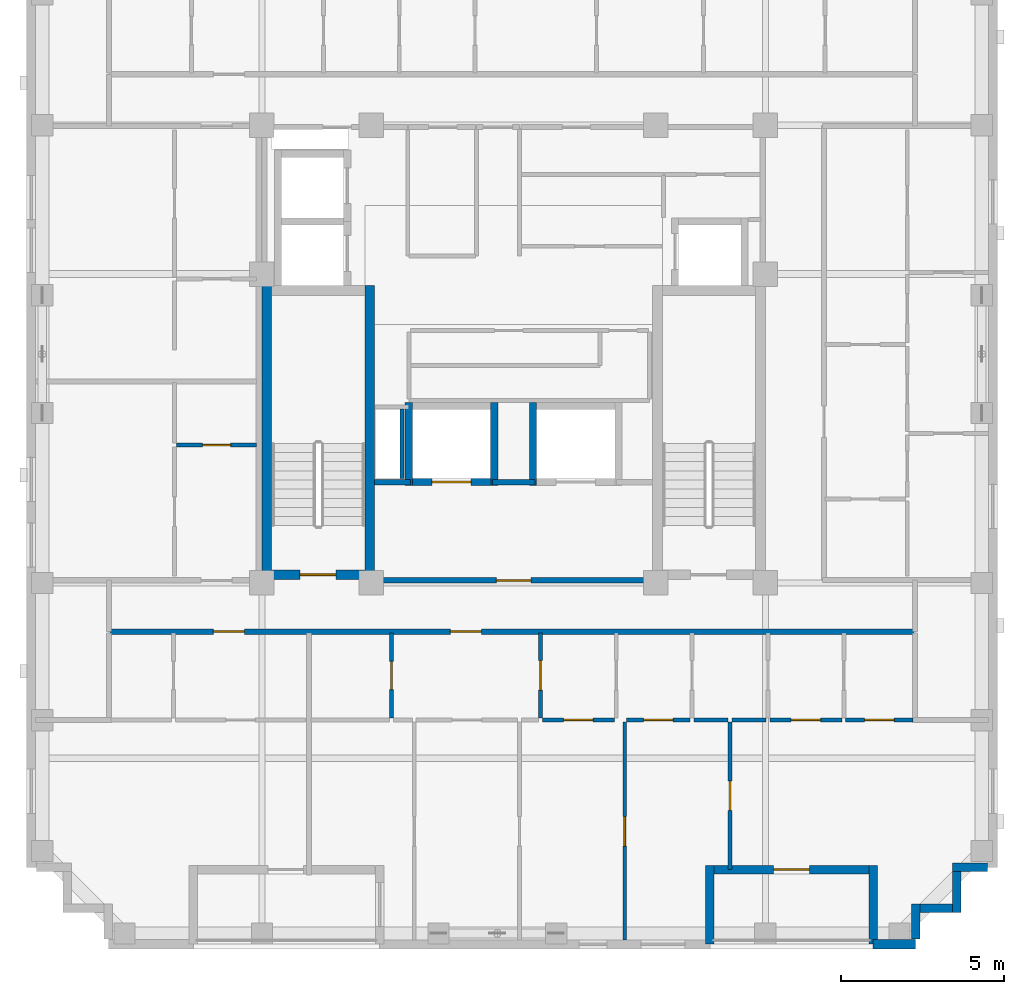
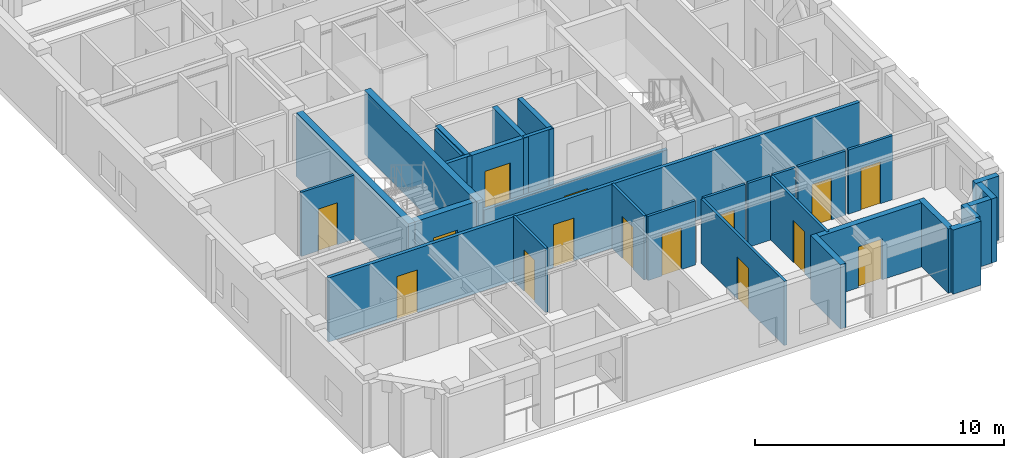
# One storey, part 3 of 11: 31 walls, 15 doors, 15 openings.
"""IFC4 building model written with IfcOpenShell, lengths in metres."""

from ifc_helpers import new_model, si_unit, derived_unit, direction, frame, frame_2d, origin, place, context, subcontext, project, spatial, rectangle, extrude, material, layer, layer_set, type_object, element, fill, save


model = new_model("IFC4")

# Units and contexts
model_context = context("Model", 3, precision=1e-05, world=origin(), true_north=direction((0.0, 1.0)))
body_context = subcontext(model_context, "Body", "Model", "MODEL_VIEW")
ifc_project = project(units=[si_unit("LENGTHUNIT", "METRE"), si_unit("AREAUNIT", "SQUARE_METRE"), si_unit("VOLUMEUNIT", "CUBIC_METRE"), si_unit("PLANEANGLEUNIT", "RADIAN"), si_unit("MASSUNIT", "GRAM", prefix="KILO"), derived_unit("THERMALTRANSMITTANCEUNIT", [(si_unit("MASSUNIT", "GRAM", prefix="KILO"), 1), (si_unit("TIMEUNIT", "SECOND"), -3), (si_unit("THERMODYNAMICTEMPERATUREUNIT", "KELVIN"), -1)])], contexts=[model_context])

# Site, building, storey
site_placement = place(None, origin())
site = spatial("IfcSite", under=ifc_project, at=site_placement, CompositionType="ELEMENT")
building_placement = place(site_placement, origin())
building = spatial("IfcBuilding", under=site, at=building_placement, Name="Korrvale Station Residences", CompositionType="ELEMENT")
storey_placement = place(building_placement, frame((0.0, 0.0, 241.10009765625)))
storey = spatial("IfcBuildingStorey", under=building, at=storey_placement, Name="L70", CompositionType="ELEMENT", Elevation=241.10009765625)

# Walls
ifc_material_1 = material(Name="Concrete C50/60", Category="concrete")
ifc_layer_1 = layer(ifc_material_1, 0.300048828125, Name="Concrete C50/60")
ifc_layer_set_1 = layer_set([ifc_layer_1], Name="Concrete C50/60")
wall_type_1 = type_object("IfcWallType", Name="WAL-CORE-300-C50", PredefinedType="SHEAR", material=ifc_layer_set_1)
for number, where, z_axis, x_axis, name in (
    (1, (17.949951171875, 15.10009765625, 0.0), (0.0, 0.0, 1.0), (0.0, 1.0, 0.0), "L70 ST-1 Core Shear Wall West"),
    (2, (21.10009765625, 15.10009765625, 0.0), (0.0, 0.0, 1.0), (0.0, 1.0, 0.0), "L70 ST-1 Core Shear Wall East"),
):
    element("IfcWall", number, at=place(storey_placement, frame(where, z_axis=z_axis, x_axis=x_axis)), inside=storey, type_object=wall_type_1, Name=name, PredefinedType="SHEAR", context=body_context, shape_type="SweptSolid", body=[
        extrude(rectangle(XDim=9.0, YDim=0.300048828125, at=frame_2d((4.5, 0.0))), origin(), (0.0, 0.0, 1.0), 3.139892578125),
    ])

# Wall, opening, door
wall_1_placement = place(storey_placement, frame((18.10009765625, 15.25, 0.0), z_axis=(0.0, 0.0, 1.0), x_axis=(1.0, 0.0, 0.0)))
wall_1 = element("IfcWall", 3, at=wall_1_placement, inside=storey, type_object=wall_type_1, Name="L70 ST-1 Core Shear Wall South", PredefinedType="SHEAR", context=body_context, shape_type="SweptSolid", body=[
    extrude(rectangle(XDim=2.849853515625, YDim=0.300048828125, at=frame_2d((1.4248046875, 0.0))), origin(), (0.0, 0.0, 1.0), 3.139892578125),
])
opening_1_placement = place(wall_1_placement, frame((0.860107421875, 0.0, 0.0)))
opening_1 = element("IfcOpeningElement", 4, at=opening_1_placement, cuts=wall_1, Name="Opening SD-1100", PredefinedType="OPENING", context=body_context, shape_type="SweptSolid", body=[
    extrude(rectangle(XDim=1.10009765625, YDim=2.050048828125, at=frame_2d((0.550048828125, 1.02490234375))), frame((0.0, 0.16015625, 0.0), z_axis=(0.0, -1.0, 0.0), x_axis=(1.0, 0.0, 0.0)), (0.0, 0.0, 1.0), 0.320068359375),
])
ifc_material_2 = material(Name="Hollow-metal fire-rated stair door with closer", Category="steel")
door_type_1 = type_object("IfcDoorType", Name="DR-STAIR-1100", OperationType="NOTDEFINED", PredefinedType="DOOR", material=ifc_material_2)
door_1_placement = place(opening_1_placement, origin())
door_1 = element("IfcDoor", 5, at=door_1_placement, inside=storey, type_object=door_type_1, Name="L70 ST-1 Exit Stair Door", OperationType="SINGLE_SWING_LEFT", OverallHeight=2.050048828125, OverallWidth=1.10009765625, PredefinedType="DOOR", context=body_context, shape_type="SweptSolid", body=[
    extrude(rectangle(XDim=1.10009765625, YDim=2.050048828125, at=frame_2d((0.550048828125, 1.02490234375))), frame((0.0, 0.02490234375, 0.0), z_axis=(0.0, -1.0, 0.0), x_axis=(1.0, 0.0, 0.0)), (0.0, 0.0, 1.0), 0.050048828125),
])
fill(opening_1, door_1)

# Wall
ifc_material_3 = material(Name="Precast concrete C45/55", Category="concrete")
ifc_layer_2 = layer(ifc_material_3, 0.260009765625, Name="Precast concrete C45/55")
ifc_layer_set_2 = layer_set([ifc_layer_2], Name="Precast concrete C45/55")
wall_type_2 = type_object("IfcWallType", Name="WAL-EXT-LOG260", PredefinedType="SOLIDWALL", material=ifc_layer_set_2)
wall_2_placement = place(storey_placement, frame((36.5, 3.9599609375, 0.0), z_axis=(0.0, 0.0, 1.0), x_axis=(0.0, 1.0, 0.0)))
element("IfcWall", 6, at=wall_2_placement, inside=storey, type_object=wall_type_2, Name="L70 Recessed Loggia Wall BAL-L70-S2-L", PredefinedType="SOLIDWALL", context=body_context, shape_type="SweptSolid", body=[
    extrude(rectangle(XDim=2.400146484375, YDim=0.260009765625, at=frame_2d((1.2001953125, 0.0))), origin(), (0.0, 0.0, 1.0), 3.139892578125),
])

# Wall, opening, door
wall_3_placement = place(storey_placement, frame((36.365966796875, 6.22998046875, 0.0), z_axis=(0.0, 0.0, 1.0), x_axis=(-1.0, 0.0, 0.0)))
wall_3 = element("IfcWall", 7, at=wall_3_placement, inside=storey, type_object=wall_type_2, Name="L70 Recessed Loggia Wall BAL-L70-S2-B", PredefinedType="SOLIDWALL", context=body_context, shape_type="SweptSolid", body=[
    extrude(rectangle(XDim=4.73193359375, YDim=0.260009765625, at=frame_2d((2.365966796875, 0.0))), origin(), (0.0, 0.0, 1.0), 3.139892578125),
])
opening_2_placement = place(wall_3_placement, frame((1.81591796875, 0.0, 0.0)))
opening_2 = element("IfcOpeningElement", 8, at=opening_2_placement, cuts=wall_3, Name="Opening BD-01", PredefinedType="OPENING", context=body_context, shape_type="SweptSolid", body=[
    extrude(rectangle(XDim=1.10009765625, YDim=2.0, at=frame_2d((0.550048828125, 1.0))), frame((0.0, 0.14013671875, 0.0), z_axis=(0.0, -1.0, 0.0), x_axis=(1.0, 0.0, 0.0)), (0.0, 0.0, 1.0), 0.280029296875),
])
ifc_material_4 = material(Name="Exterior thermally broken aluminium glazed balcony door", Category="aluminium")
door_type_2 = type_object("IfcDoorType", Name="DR-EXT-BAL", OperationType="NOTDEFINED", PredefinedType="DOOR", material=ifc_material_4)
door_2_placement = place(opening_2_placement, origin())
door_2 = element("IfcDoor", 9, at=door_2_placement, inside=storey, type_object=door_type_2, Name="L70 Loggia Balcony Door BAL-L70-S2", OperationType="SINGLE_SWING_RIGHT", OverallHeight=2.0, OverallWidth=1.10009765625, PredefinedType="DOOR", context=body_context, shape_type="SweptSolid", body=[
    extrude(rectangle(XDim=1.10009765625, YDim=2.0, at=frame_2d((0.550048828125, 1.0))), frame((0.0, 0.02490234375, 0.0), z_axis=(0.0, -1.0, 0.0), x_axis=(1.0, 0.0, 0.0)), (0.0, 0.0, 1.0), 0.050048828125),
])
fill(opening_2, door_2)

# Walls
wall_4_placement = place(storey_placement, frame((31.5, 6.360107421875, 0.0), z_axis=(0.0, 0.0, 1.0), x_axis=(0.0, -1.0, 0.0)))
element("IfcWall", 10, at=wall_4_placement, inside=storey, type_object=wall_type_2, Name="L70 Recessed Loggia Wall BAL-L70-S2-R", PredefinedType="SOLIDWALL", context=body_context, shape_type="SweptSolid", body=[
    extrude(rectangle(XDim=2.400146484375, YDim=0.260009765625, at=frame_2d((1.2001953125, 0.0))), origin(), (0.0, 0.0, 1.0), 3.139892578125),
])
wall_5_placement = place(storey_placement, frame((39.998046875, 6.300048828125, 0.0), z_axis=(0.0, 0.0, 1.0), x_axis=(-1.0, 0.0, 0.0)))
element("IfcWall", 11, at=wall_5_placement, inside=storey, type_object=wall_type_2, Name="L70 Serrated Corner Precast Step SE-1", PredefinedType="SOLIDWALL", context=body_context, shape_type="SweptSolid", body=[
    extrude(rectangle(XDim=1.078125, YDim=0.260009765625, at=frame_2d((0.5390625, 0.0))), origin(), (0.0, 0.0, 1.0), 3.139892578125),
])
wall_6_placement = place(storey_placement, frame((39.050048828125, 6.16796875, 0.0), z_axis=(0.0, 0.0, 1.0), x_axis=(0.0, -1.0, 0.0)))
element("IfcWall", 12, at=wall_6_placement, inside=storey, type_object=wall_type_2, Name="L70 Serrated Corner Precast Step SE-2", PredefinedType="SOLIDWALL", context=body_context, shape_type="SweptSolid", body=[
    extrude(rectangle(XDim=1.248046875, YDim=0.260009765625, at=frame_2d((0.6240234375, 0.0))), origin(), (0.0, 0.0, 1.0), 3.139892578125),
])
wall_7_placement = place(storey_placement, frame((38.91796875, 5.050048828125, 0.0), z_axis=(0.0, 0.0, 1.0), x_axis=(-1.0, 0.0, 0.0)))
element("IfcWall", 13, at=wall_7_placement, inside=storey, type_object=wall_type_2, Name="L70 Serrated Corner Precast Step SE-3", PredefinedType="SOLIDWALL", context=body_context, shape_type="SweptSolid", body=[
    extrude(rectangle(XDim=0.986083984375, YDim=0.260009765625, at=frame_2d((0.4931640625, 0.0))), origin(), (0.0, 0.0, 1.0), 3.139892578125),
])
wall_8_placement = place(storey_placement, frame((37.800048828125, 5.179931640625, 0.0), z_axis=(0.0, 0.0, 1.0), x_axis=(0.0, -1.0, 0.0)))
element("IfcWall", 14, at=wall_8_placement, inside=storey, type_object=wall_type_2, Name="L70 Serrated Corner Precast Step SE-4", PredefinedType="SOLIDWALL", context=body_context, shape_type="SweptSolid", body=[
    extrude(rectangle(XDim=1.077880859375, YDim=0.260009765625, at=frame_2d((0.5390625, 0.0))), origin(), (0.0, 0.0, 1.0), 3.139892578125),
])
ifc_layer_3 = layer(ifc_material_3, 0.300048828125, Name="Precast concrete C45/55")
ifc_layer_set_3 = layer_set([ifc_layer_3], Name="Precast concrete C45/55")
wall_type_3 = type_object("IfcWallType", Name="WAL-EXT-PC300", PredefinedType="SOLIDWALL", material=ifc_layer_set_3)
wall_9_placement = place(storey_placement, frame((37.800048828125, 3.949951171875, 0.0), z_axis=(0.0, 0.0, 1.0), x_axis=(-1.0, 0.0, 0.0)))
element("IfcWall", 15, at=wall_9_placement, inside=storey, type_object=wall_type_3, Name="L70 South Exterior Precast Wall 1", PredefinedType="SOLIDWALL", context=body_context, shape_type="SweptSolid", body=[
    extrude(rectangle(XDim=1.300048828125, YDim=0.300048828125, at=frame_2d((0.64990234375, 0.0))), origin(), (0.0, 0.0, 1.0), 3.139892578125),
])
ifc_material_5 = material(Name="Acoustic steel-stud gypsum board partition", Category="steel")
ifc_layer_4 = layer(ifc_material_5, 0.1201171875, Name="Acoustic steel-stud gypsum board partition")
ifc_layer_set_4 = layer_set([ifc_layer_4], Name="Acoustic steel-stud gypsum board partition")
wall_type_4 = type_object("IfcWallType", Name="WAL-PART-125", PredefinedType="PARTITIONING", material=ifc_layer_set_4)
wall_10_placement = place(storey_placement, frame((22.080078125, 18.199951171875, 0.0), z_axis=(0.0, 0.0, 1.0), x_axis=(0.0, 1.0, 0.0)))
element("IfcWall", 16, at=wall_10_placement, inside=storey, type_object=wall_type_4, Name="L70 Core Partition CW-RSWT", PredefinedType="PARTITIONING", context=body_context, shape_type="SweptSolid", body=[
    extrude(rectangle(XDim=2.1201171875, YDim=0.1201171875, at=frame_2d((1.06005859375, 0.0))), origin(), (0.0, 0.0, 1.0), 3.139892578125),
])

# Wall, opening, door
wall_11_placement = place(storey_placement, frame((21.759033203125, 10.8701171875, 0.0), z_axis=(0.0, 0.0, 1.0), x_axis=(0.0, 1.0, 0.0)))
wall_11 = element("IfcWall", 17, at=wall_11_placement, inside=storey, type_object=wall_type_4, Name="L70 Suite Partition U02-V01", PredefinedType="PARTITIONING", context=body_context, shape_type="SweptSolid", body=[
    extrude(rectangle(XDim=2.599853515625, YDim=0.1201171875, at=frame_2d((1.2998046875, 0.0))), origin(), (0.0, 0.0, 1.0), 3.139892578125),
])
opening_3_placement = place(wall_11_placement, frame((0.8701171875, 0.0, 0.0)))
opening_3 = element("IfcOpeningElement", 18, at=opening_3_placement, cuts=wall_11, Name="Opening DB-860", PredefinedType="OPENING", context=body_context, shape_type="SweptSolid", body=[
    extrude(rectangle(XDim=0.860107421875, YDim=2.050048828125, at=frame_2d((0.43017578125, 1.02490234375))), frame((0.0, 0.070068359375, 0.0), z_axis=(0.0, -1.0, 0.0), x_axis=(1.0, 0.0, 0.0)), (0.0, 0.0, 1.0), 0.14013671875),
])
ifc_material_6 = material(Name="Moisture-resistant solid-core bathroom door", Category="timber")
door_type_3 = type_object("IfcDoorType", Name="DR-BATH-860", OperationType="NOTDEFINED", PredefinedType="DOOR", material=ifc_material_6)
door_3_placement = place(opening_3_placement, origin())
door_3 = element("IfcDoor", 19, at=door_3_placement, inside=storey, type_object=door_type_3, Name="L70 Studio Apartment L70-U02 Bathroom Door", OperationType="SINGLE_SWING_LEFT", OverallHeight=2.050048828125, OverallWidth=0.860107421875, PredefinedType="DOOR", context=body_context, shape_type="SweptSolid", body=[
    extrude(rectangle(XDim=0.860107421875, YDim=2.050048828125, at=frame_2d((0.43017578125, 1.02490234375))), frame((0.0, 0.02490234375, 0.0), z_axis=(0.0, -1.0, 0.0), x_axis=(1.0, 0.0, 0.0)), (0.0, 0.0, 1.0), 0.050048828125),
])
fill(opening_3, door_3)

wall_12_placement = place(storey_placement, frame((26.319091796875, 10.8701171875, 0.0), z_axis=(0.0, 0.0, 1.0), x_axis=(0.0, 1.0, 0.0)))
wall_12 = element("IfcWall", 20, at=wall_12_placement, inside=storey, type_object=wall_type_4, Name="L70 Suite Partition U02-V12", PredefinedType="PARTITIONING", context=body_context, shape_type="SweptSolid", body=[
    extrude(rectangle(XDim=2.599853515625, YDim=0.1201171875, at=frame_2d((1.2998046875, 0.0))), origin(), (0.0, 0.0, 1.0), 3.139892578125),
])
opening_4_placement = place(wall_12_placement, frame((0.85009765625, 0.0, 0.0)))
opening_4 = element("IfcOpeningElement", 21, at=opening_4_placement, cuts=wall_12, Name="Opening DI-900", PredefinedType="OPENING", context=body_context, shape_type="SweptSolid", body=[
    extrude(rectangle(XDim=0.89990234375, YDim=2.050048828125, at=frame_2d((0.449951171875, 1.02490234375))), frame((0.0, 0.070068359375, 0.0), z_axis=(0.0, -1.0, 0.0), x_axis=(1.0, 0.0, 0.0)), (0.0, 0.0, 1.0), 0.14013671875),
])
ifc_material_7 = material(Name="Painted solid-core timber interior room door", Category="wood")
door_type_4 = type_object("IfcDoorType", Name="DR-INT-900", OperationType="NOTDEFINED", PredefinedType="DOOR", material=ifc_material_7)
door_4_placement = place(opening_4_placement, origin())
door_4 = element("IfcDoor", 22, at=door_4_placement, inside=storey, type_object=door_type_4, Name="L70 Studio Apartment L70-U02 Kitchen Door", OperationType="SINGLE_SWING_RIGHT", OverallHeight=2.050048828125, OverallWidth=0.89990234375, PredefinedType="DOOR", context=body_context, shape_type="SweptSolid", body=[
    extrude(rectangle(XDim=0.89990234375, YDim=2.050048828125, at=frame_2d((0.449951171875, 1.02490234375))), frame((0.0, 0.02490234375, 0.0), z_axis=(0.0, -1.0, 0.0), x_axis=(1.0, 0.0, 0.0)), (0.0, 0.0, 1.0), 0.050048828125),
])
fill(opening_4, door_4)

wall_13_placement = place(storey_placement, frame((26.37890625, 10.81005859375, 0.0), z_axis=(0.0, 0.0, 1.0), x_axis=(1.0, 0.0, 0.0)))
wall_13 = element("IfcWall", 23, at=wall_13_placement, inside=storey, type_object=wall_type_4, Name="L70 Suite Partition U02-H29", PredefinedType="PARTITIONING", context=body_context, shape_type="SweptSolid", body=[
    extrude(rectangle(XDim=2.2001953125, YDim=0.1201171875, at=frame_2d((1.10009765625, 0.0))), origin(), (0.0, 0.0, 1.0), 3.139892578125),
])
opening_5_placement = place(wall_13_placement, frame((0.64990234375, 0.0, 0.0)))
opening_5 = element("IfcOpeningElement", 24, at=opening_5_placement, cuts=wall_13, Name="Opening DI-900", PredefinedType="OPENING", context=body_context, shape_type="SweptSolid", body=[
    extrude(rectangle(XDim=0.89990234375, YDim=2.050048828125, at=frame_2d((0.449951171875, 1.02490234375))), frame((0.0, 0.070068359375, 0.0), z_axis=(0.0, -1.0, 0.0), x_axis=(1.0, 0.0, 0.0)), (0.0, 0.0, 1.0), 0.14013671875),
])
door_5_placement = place(opening_5_placement, origin())
door_5 = element("IfcDoor", 25, at=door_5_placement, inside=storey, type_object=door_type_4, Name="L70 Studio Apartment L70-U02 Wardrobe Storage Room Door", OperationType="SINGLE_SWING_LEFT", OverallHeight=2.050048828125, OverallWidth=0.89990234375, PredefinedType="DOOR", context=body_context, shape_type="SweptSolid", body=[
    extrude(rectangle(XDim=0.89990234375, YDim=2.050048828125, at=frame_2d((0.449951171875, 1.02490234375))), frame((0.0, 0.02490234375, 0.0), z_axis=(0.0, -1.0, 0.0), x_axis=(1.0, 0.0, 0.0)), (0.0, 0.0, 1.0), 0.050048828125),
])
fill(opening_5, door_5)

wall_14_placement = place(storey_placement, frame((28.958984375, 10.81005859375, 0.0), z_axis=(0.0, 0.0, 1.0), x_axis=(1.0, 0.0, 0.0)))
wall_14 = element("IfcWall", 26, at=wall_14_placement, inside=storey, type_object=wall_type_4, Name="L70 Suite Partition U02-H310", PredefinedType="PARTITIONING", context=body_context, shape_type="SweptSolid", body=[
    extrude(rectangle(XDim=1.93994140625, YDim=0.1201171875, at=frame_2d((0.969970703125, 0.0))), origin(), (0.0, 0.0, 1.0), 3.139892578125),
])
opening_6_placement = place(wall_14_placement, frame((0.52001953125, 0.0, 0.0)))
opening_6 = element("IfcOpeningElement", 27, at=opening_6_placement, cuts=wall_14, Name="Opening DI-900", PredefinedType="OPENING", context=body_context, shape_type="SweptSolid", body=[
    extrude(rectangle(XDim=0.89990234375, YDim=2.050048828125, at=frame_2d((0.449951171875, 1.02490234375))), frame((0.0, 0.070068359375, 0.0), z_axis=(0.0, -1.0, 0.0), x_axis=(1.0, 0.0, 0.0)), (0.0, 0.0, 1.0), 0.14013671875),
])
door_6_placement = place(opening_6_placement, origin())
door_6 = element("IfcDoor", 28, at=door_6_placement, inside=storey, type_object=door_type_4, Name="L70 Studio Apartment L70-U02 Wardrobe Storage Room Door", OperationType="SINGLE_SWING_LEFT", OverallHeight=2.050048828125, OverallWidth=0.89990234375, PredefinedType="DOOR", context=body_context, shape_type="SweptSolid", body=[
    extrude(rectangle(XDim=0.89990234375, YDim=2.050048828125, at=frame_2d((0.449951171875, 1.02490234375))), frame((0.0, 0.02490234375, 0.0), z_axis=(0.0, -1.0, 0.0), x_axis=(1.0, 0.0, 0.0)), (0.0, 0.0, 1.0), 0.050048828125),
])
fill(opening_6, door_6)

# Walls
for number, where, z_axis, x_axis, name in (
    (29, (31.01904296875, 10.81005859375, 0.0), (0.0, 0.0, 1.0), (1.0, 0.0, 0.0), "L70 Suite Partition U02-H410"),
    (30, (32.178955078125, 10.81005859375, 0.0), (0.0, 0.0, 1.0), (1.0, 0.0, 0.0), "L70 Suite Partition U02-H411"),
):
    element("IfcWall", number, at=place(storey_placement, frame(where, z_axis=z_axis, x_axis=x_axis)), inside=storey, type_object=wall_type_4, Name=name, PredefinedType="PARTITIONING", context=body_context, shape_type="SweptSolid", body=[
        extrude(rectangle(XDim=1.0400390625, YDim=0.1201171875, at=frame_2d((0.52001953125, 0.0))), origin(), (0.0, 0.0, 1.0), 3.139892578125),
    ])

# Wall, opening, door
wall_15_placement = place(storey_placement, frame((33.339111328125, 10.81005859375, 0.0), z_axis=(0.0, 0.0, 1.0), x_axis=(1.0, 0.0, 0.0)))
wall_15 = element("IfcWall", 31, at=wall_15_placement, inside=storey, type_object=wall_type_4, Name="L70 Suite Partition U02-H511", PredefinedType="PARTITIONING", context=body_context, shape_type="SweptSolid", body=[
    extrude(rectangle(XDim=2.199951171875, YDim=0.1201171875, at=frame_2d((1.10009765625, 0.0))), origin(), (0.0, 0.0, 1.0), 3.139892578125),
])
opening_7_placement = place(wall_15_placement, frame((0.64990234375, 0.0, 0.0)))
opening_7 = element("IfcOpeningElement", 32, at=opening_7_placement, cuts=wall_15, Name="Opening DI-900", PredefinedType="OPENING", context=body_context, shape_type="SweptSolid", body=[
    extrude(rectangle(XDim=0.89990234375, YDim=2.050048828125, at=frame_2d((0.449951171875, 1.02490234375))), frame((0.0, 0.070068359375, 0.0), z_axis=(0.0, -1.0, 0.0), x_axis=(1.0, 0.0, 0.0)), (0.0, 0.0, 1.0), 0.14013671875),
])
door_7_placement = place(opening_7_placement, origin())
door_7 = element("IfcDoor", 33, at=door_7_placement, inside=storey, type_object=door_type_4, Name="L70 Studio Apartment L70-U02 Wardrobe Storage Room Door", OperationType="SINGLE_SWING_RIGHT", OverallHeight=2.050048828125, OverallWidth=0.89990234375, PredefinedType="DOOR", context=body_context, shape_type="SweptSolid", body=[
    extrude(rectangle(XDim=0.89990234375, YDim=2.050048828125, at=frame_2d((0.449951171875, 1.02490234375))), frame((0.0, 0.02490234375, 0.0), z_axis=(0.0, -1.0, 0.0), x_axis=(1.0, 0.0, 0.0)), (0.0, 0.0, 1.0), 0.050048828125),
])
fill(opening_7, door_7)

wall_16_placement = place(storey_placement, frame((35.658935546875, 10.81005859375, 0.0), z_axis=(0.0, 0.0, 1.0), x_axis=(1.0, 0.0, 0.0)))
wall_16 = element("IfcWall", 34, at=wall_16_placement, inside=storey, type_object=wall_type_4, Name="L70 Suite Partition U02-H611", PredefinedType="PARTITIONING", context=body_context, shape_type="SweptSolid", body=[
    extrude(rectangle(XDim=2.06103515625, YDim=0.1201171875, at=frame_2d((1.030517578125, 0.0))), origin(), (0.0, 0.0, 1.0), 3.139892578125),
])
opening_8_placement = place(wall_16_placement, frame((0.5810546875, 0.0, 0.0)))
opening_8 = element("IfcOpeningElement", 35, at=opening_8_placement, cuts=wall_16, Name="Opening DI-900", PredefinedType="OPENING", context=body_context, shape_type="SweptSolid", body=[
    extrude(rectangle(XDim=0.89990234375, YDim=2.050048828125, at=frame_2d((0.449951171875, 1.02490234375))), frame((0.0, 0.070068359375, 0.0), z_axis=(0.0, -1.0, 0.0), x_axis=(1.0, 0.0, 0.0)), (0.0, 0.0, 1.0), 0.14013671875),
])
door_8_placement = place(opening_8_placement, origin())
door_8 = element("IfcDoor", 36, at=door_8_placement, inside=storey, type_object=door_type_4, Name="L70 Studio Apartment L70-U02 Utility and Laundry Room Door", OperationType="SINGLE_SWING_LEFT", OverallHeight=2.050048828125, OverallWidth=0.89990234375, PredefinedType="DOOR", context=body_context, shape_type="SweptSolid", body=[
    extrude(rectangle(XDim=0.89990234375, YDim=2.050048828125, at=frame_2d((0.449951171875, 1.02490234375))), frame((0.0, 0.02490234375, 0.0), z_axis=(0.0, -1.0, 0.0), x_axis=(1.0, 0.0, 0.0)), (0.0, 0.0, 1.0), 0.050048828125),
])
fill(opening_8, door_8)

wall_17_placement = place(storey_placement, frame((28.89892578125, 4.080078125, 0.0), z_axis=(0.0, 0.0, 1.0), x_axis=(0.0, 1.0, 0.0)))
wall_17 = element("IfcWall", 37, at=wall_17_placement, inside=storey, type_object=wall_type_4, Name="L70 Suite Partition U02-V910", PredefinedType="PARTITIONING", context=body_context, shape_type="SweptSolid", body=[
    extrude(rectangle(XDim=6.669921875, YDim=0.1201171875, at=frame_2d((3.3349609375, 0.0))), origin(), (0.0, 0.0, 1.0), 3.139892578125),
])
opening_9_placement = place(wall_17_placement, frame((2.8701171875, 0.0, 0.0)))
opening_9 = element("IfcOpeningElement", 38, at=opening_9_placement, cuts=wall_17, Name="Opening DI-900", PredefinedType="OPENING", context=body_context, shape_type="SweptSolid", body=[
    extrude(rectangle(XDim=0.89990234375, YDim=2.050048828125, at=frame_2d((0.449951171875, 1.02490234375))), frame((0.0, 0.070068359375, 0.0), z_axis=(0.0, -1.0, 0.0), x_axis=(1.0, 0.0, 0.0)), (0.0, 0.0, 1.0), 0.14013671875),
])
door_9_placement = place(opening_9_placement, origin())
door_9 = element("IfcDoor", 39, at=door_9_placement, inside=storey, type_object=door_type_4, Name="L70 Studio Apartment L70-U02 Formal Dining Room Door", OperationType="SINGLE_SWING_RIGHT", OverallHeight=2.050048828125, OverallWidth=0.89990234375, PredefinedType="DOOR", context=body_context, shape_type="SweptSolid", body=[
    extrude(rectangle(XDim=0.89990234375, YDim=2.050048828125, at=frame_2d((0.449951171875, 1.02490234375))), frame((0.0, 0.02490234375, 0.0), z_axis=(0.0, -1.0, 0.0), x_axis=(1.0, 0.0, 0.0)), (0.0, 0.0, 1.0), 0.050048828125),
])
fill(opening_9, door_9)

wall_18_placement = place(storey_placement, frame((32.118896484375, 6.22998046875, 0.0), z_axis=(0.0, 0.0, 1.0), x_axis=(0.0, 1.0, 0.0)))
wall_18 = element("IfcWall", 40, at=wall_18_placement, inside=storey, type_object=wall_type_4, Name="L70 Suite Partition U02-V1011", PredefinedType="PARTITIONING", context=body_context, shape_type="SweptSolid", body=[
    extrude(rectangle(XDim=4.52001953125, YDim=0.1201171875, at=frame_2d((2.260009765625, 0.0))), origin(), (0.0, 0.0, 1.0), 3.139892578125),
])
opening_10_placement = place(wall_18_placement, frame((1.81005859375, 0.0, 0.0)))
opening_10 = element("IfcOpeningElement", 41, at=opening_10_placement, cuts=wall_18, Name="Opening DI-900", PredefinedType="OPENING", context=body_context, shape_type="SweptSolid", body=[
    extrude(rectangle(XDim=0.89990234375, YDim=2.050048828125, at=frame_2d((0.449951171875, 1.02490234375))), frame((0.0, 0.070068359375, 0.0), z_axis=(0.0, -1.0, 0.0), x_axis=(1.0, 0.0, 0.0)), (0.0, 0.0, 1.0), 0.14013671875),
])
door_10_placement = place(opening_10_placement, origin())
door_10 = element("IfcDoor", 42, at=door_10_placement, inside=storey, type_object=door_type_4, Name="L70 Studio Apartment L70-U02 Formal Dining Room Door", OperationType="SINGLE_SWING_LEFT", OverallHeight=2.050048828125, OverallWidth=0.89990234375, PredefinedType="DOOR", context=body_context, shape_type="SweptSolid", body=[
    extrude(rectangle(XDim=0.89990234375, YDim=2.050048828125, at=frame_2d((0.449951171875, 1.02490234375))), frame((0.0, 0.02490234375, 0.0), z_axis=(0.0, -1.0, 0.0), x_axis=(1.0, 0.0, 0.0)), (0.0, 0.0, 1.0), 0.050048828125),
])
fill(opening_10, door_10)

wall_19_placement = place(storey_placement, frame((15.18994140625, 19.216064453125, 0.0), z_axis=(0.0, 0.0, 1.0), x_axis=(1.0, 0.0, 0.0)))
wall_19 = element("IfcWall", 43, at=wall_19_placement, inside=storey, type_object=wall_type_4, Name="L70 Suite Partition U04-H01", PredefinedType="PARTITIONING", context=body_context, shape_type="SweptSolid", body=[
    extrude(rectangle(XDim=2.449951171875, YDim=0.1201171875, at=frame_2d((1.22509765625, 0.0))), origin(), (0.0, 0.0, 1.0), 3.139892578125),
])
opening_11_placement = place(wall_19_placement, frame((0.794921875, 0.0, 0.0)))
opening_11 = element("IfcOpeningElement", 44, at=opening_11_placement, cuts=wall_19, Name="Opening DB-860", PredefinedType="OPENING", context=body_context, shape_type="SweptSolid", body=[
    extrude(rectangle(XDim=0.860107421875, YDim=2.050048828125, at=frame_2d((0.43017578125, 1.02490234375))), frame((0.0, 0.070068359375, 0.0), z_axis=(0.0, -1.0, 0.0), x_axis=(1.0, 0.0, 0.0)), (0.0, 0.0, 1.0), 0.14013671875),
])
door_11_placement = place(opening_11_placement, origin())
door_11 = element("IfcDoor", 45, at=door_11_placement, inside=storey, type_object=door_type_3, Name="L70 Studio Apartment L70-U04 Bathroom Door", OperationType="SINGLE_SWING_RIGHT", OverallHeight=2.050048828125, OverallWidth=0.860107421875, PredefinedType="DOOR", context=body_context, shape_type="SweptSolid", body=[
    extrude(rectangle(XDim=0.860107421875, YDim=2.050048828125, at=frame_2d((0.43017578125, 1.02490234375))), frame((0.0, 0.02490234375, 0.0), z_axis=(0.0, -1.0, 0.0), x_axis=(1.0, 0.0, 0.0)), (0.0, 0.0, 1.0), 0.050048828125),
])
fill(opening_11, door_11)

ifc_material_8 = material(Name="Fire-rated twin-stud gypsum and mineral wool shaftwall assembly", Category="gypsum")
ifc_layer_5 = layer(ifc_material_8, 0.159912109375, Name="Fire-rated twin-stud gypsum and mineral wool shaftwall assembly")
ifc_layer_set_5 = layer_set([ifc_layer_5], Name="Fire-rated twin-stud gypsum and mineral wool shaftwall assembly")
wall_type_5 = type_object("IfcWallType", Name="WAL-PART-200", PredefinedType="PARTITIONING", material=ifc_layer_set_5)
wall_20_placement = place(storey_placement, frame((21.25, 15.080078125, 0.0), z_axis=(0.0, 0.0, 1.0), x_axis=(1.0, 0.0, 0.0)))
wall_20 = element("IfcWall", 46, at=wall_20_placement, inside=storey, type_object=wall_type_5, Name="L70 Core Partition CW-FFL-S", PredefinedType="PARTITIONING", context=body_context, shape_type="SweptSolid", body=[
    extrude(rectangle(XDim=8.5, YDim=0.159912109375, at=frame_2d((4.25, 0.0))), origin(), (0.0, 0.0, 1.0), 2.66796875),
])
opening_12_placement = place(wall_20_placement, frame((3.72509765625, 0.0, 0.0)))
opening_12 = element("IfcOpeningElement", 47, at=opening_12_placement, cuts=wall_20, Name="Opening FD-1050", PredefinedType="OPENING", context=body_context, shape_type="SweptSolid", body=[
    extrude(rectangle(XDim=1.050048828125, YDim=2.050048828125, at=frame_2d((0.52490234375, 1.02490234375))), frame((0.0, 0.08984375, 0.0), z_axis=(0.0, -1.0, 0.0), x_axis=(1.0, 0.0, 0.0)), (0.0, 0.0, 1.0), 0.179931640625),
])
ifc_material_9 = material(Name="Fire-rated mineral-core timber lobby door", Category="wood")
door_type_5 = type_object("IfcDoorType", Name="DR-CORE-1050", OperationType="NOTDEFINED", PredefinedType="DOOR", material=ifc_material_9)
door_12_placement = place(opening_12_placement, origin())
door_12 = element("IfcDoor", 48, at=door_12_placement, inside=storey, type_object=door_type_5, Name="L70 Firefighting Lobby Entry Door", OperationType="SINGLE_SWING_RIGHT", OverallHeight=2.050048828125, OverallWidth=1.050048828125, PredefinedType="DOOR", context=body_context, shape_type="SweptSolid", body=[
    extrude(rectangle(XDim=1.050048828125, YDim=2.050048828125, at=frame_2d((0.52490234375, 1.02490234375))), frame((0.0, 0.02490234375, 0.0), z_axis=(0.0, -1.0, 0.0), x_axis=(1.0, 0.0, 0.0)), (0.0, 0.0, 1.0), 0.050048828125),
])
fill(opening_12, door_12)

# Walls
wall_21_placement = place(storey_placement, frame((21.25, 18.080078125, 0.0), z_axis=(0.0, 0.0, 1.0), x_axis=(1.0, 0.0, 0.0)))
element("IfcWall", 49, at=wall_21_placement, inside=storey, type_object=wall_type_5, Name="L70 Core Partition CW-FFL-N1", PredefinedType="PARTITIONING", context=body_context, shape_type="SweptSolid", body=[
    extrude(rectangle(XDim=1.10009765625, YDim=0.159912109375, at=frame_2d((0.550048828125, 0.0))), origin(), (0.0, 0.0, 1.0), 3.139892578125),
])
wall_22_placement = place(storey_placement, frame((24.85009765625, 18.080078125, 0.0), z_axis=(0.0, 0.0, 1.0), x_axis=(1.0, 0.0, 0.0)))
element("IfcWall", 50, at=wall_22_placement, inside=storey, type_object=wall_type_5, Name="L70 Core Partition CW-FFL-N2", PredefinedType="PARTITIONING", context=body_context, shape_type="SweptSolid", body=[
    extrude(rectangle(XDim=1.2998046875, YDim=0.159912109375, at=frame_2d((0.64990234375, 0.0))), origin(), (0.0, 0.0, 1.0), 3.139892578125),
])

# Wall, openings, doors
wall_23_placement = place(storey_placement, frame((13.14990234375, 13.510009765625, 0.0), z_axis=(0.0, 0.0, 1.0), x_axis=(1.0, 0.0, 0.0)))
wall_23 = element("IfcWall", 51, at=wall_23_placement, inside=storey, type_object=wall_type_5, Name="L70 Rated Corridor Wall S", PredefinedType="PARTITIONING", context=body_context, shape_type="SweptSolid", body=[
    extrude(rectangle(XDim=24.60009765625, YDim=0.159912109375, at=frame_2d((12.300048828125, 0.0))), origin(), (0.0, 0.0, 1.0), 3.139892578125),
])
opening_13_placement = place(wall_23_placement, frame((3.1650390625, 0.0, 0.0)))
opening_13 = element("IfcOpeningElement", 52, at=opening_13_placement, cuts=wall_23, Name="Opening UD-950", PredefinedType="OPENING", context=body_context, shape_type="SweptSolid", body=[
    extrude(rectangle(XDim=0.949951171875, YDim=2.10009765625, at=frame_2d((0.47509765625, 1.050048828125))), frame((0.0, 0.08984375, 0.0), z_axis=(0.0, -1.0, 0.0), x_axis=(1.0, 0.0, 0.0)), (0.0, 0.0, 1.0), 0.179931640625),
])
opening_14_placement = place(wall_23_placement, frame((10.4140625, 0.0, 0.0)))
opening_14 = element("IfcOpeningElement", 53, at=opening_14_placement, cuts=wall_23, Name="Opening UD-950", PredefinedType="OPENING", context=body_context, shape_type="SweptSolid", body=[
    extrude(rectangle(XDim=0.949951171875, YDim=2.10009765625, at=frame_2d((0.47509765625, 1.050048828125))), frame((0.0, 0.08984375, 0.0), z_axis=(0.0, -1.0, 0.0), x_axis=(1.0, 0.0, 0.0)), (0.0, 0.0, 1.0), 0.179931640625),
])
ifc_material_10 = material(Name="Solid-core acoustic oak apartment entrance door", Category="timber")
door_type_6 = type_object("IfcDoorType", Name="DR-UNIT-950", OperationType="NOTDEFINED", PredefinedType="DOOR", material=ifc_material_10)
door_13_placement = place(opening_13_placement, origin())
door_13 = element("IfcDoor", 54, at=door_13_placement, inside=storey, type_object=door_type_6, Name="L70 Apartment L70-U01 Entrance Door", OperationType="SINGLE_SWING_LEFT", OverallHeight=2.10009765625, OverallWidth=0.949951171875, PredefinedType="DOOR", context=body_context, shape_type="SweptSolid", body=[
    extrude(rectangle(XDim=0.949951171875, YDim=2.10009765625, at=frame_2d((0.47509765625, 1.050048828125))), frame((0.0, 0.02490234375, 0.0), z_axis=(0.0, -1.0, 0.0), x_axis=(1.0, 0.0, 0.0)), (0.0, 0.0, 1.0), 0.050048828125),
])
fill(opening_13, door_13)
door_14_placement = place(opening_14_placement, origin())
door_14 = element("IfcDoor", 55, at=door_14_placement, inside=storey, type_object=door_type_6, Name="L70 Apartment L70-U02 Entrance Door", OperationType="SINGLE_SWING_RIGHT", OverallHeight=2.10009765625, OverallWidth=0.949951171875, PredefinedType="DOOR", context=body_context, shape_type="SweptSolid", body=[
    extrude(rectangle(XDim=0.949951171875, YDim=2.10009765625, at=frame_2d((0.47509765625, 1.050048828125))), frame((0.0, 0.02490234375, 0.0), z_axis=(0.0, -1.0, 0.0), x_axis=(1.0, 0.0, 0.0)), (0.0, 0.0, 1.0), 0.050048828125),
])
fill(opening_14, door_14)

# Wall, opening, door
ifc_layer_6 = layer(ifc_material_1, 0.219970703125, Name="Concrete C50/60")
ifc_layer_set_6 = layer_set([ifc_layer_6], Name="Concrete C50/60")
wall_type_6 = type_object("IfcWallType", Name="WAL-SHAFT-220-C50", PredefinedType="SHEAR", material=ifc_layer_set_6)
wall_24_placement = place(storey_placement, frame((22.39990234375, 18.090087890625, 0.0), z_axis=(0.0, 0.0, 1.0), x_axis=(1.0, 0.0, 0.0)))
wall_24 = element("IfcWall", 56, at=wall_24_placement, inside=storey, type_object=wall_type_6, Name="L70 Elevator FFL-1 Hoistway Wall South", PredefinedType="SHEAR", context=body_context, shape_type="SweptSolid", body=[
    extrude(rectangle(XDim=2.400146484375, YDim=0.219970703125, at=frame_2d((1.2001953125, 0.0))), origin(), (0.0, 0.0, 1.0), 3.139892578125),
])
opening_15_placement = place(wall_24_placement, frame((0.60009765625, 0.0, 0.0)))
opening_15 = element("IfcOpeningElement", 57, at=opening_15_placement, cuts=wall_24, Name="Opening LD-FF1200", PredefinedType="OPENING", context=body_context, shape_type="SweptSolid", body=[
    extrude(rectangle(XDim=1.199951171875, YDim=2.14990234375, at=frame_2d((0.60009765625, 1.074951171875))), frame((0.0, 0.1201171875, 0.0), z_axis=(0.0, -1.0, 0.0), x_axis=(1.0, 0.0, 0.0)), (0.0, 0.0, 1.0), 0.239990234375),
])
ifc_material_11 = material(Name="Stainless-steel firefighter elevator landing sliding door", Category="steel")
door_type_7 = type_object("IfcDoorType", Name="DR-LIFT-FF1200", OperationType="SLIDING_TO_LEFT", PredefinedType="DOOR", material=ifc_material_11)
door_15_placement = place(opening_15_placement, origin())
door_15 = element("IfcDoor", 58, at=door_15_placement, inside=storey, type_object=door_type_7, Name="L70 Elevator FFL-1 Sliding Landing Door", OperationType="SLIDING_TO_LEFT", OverallHeight=2.14990234375, OverallWidth=1.199951171875, PredefinedType="DOOR", context=body_context, shape_type="SweptSolid", body=[
    extrude(rectangle(XDim=1.199951171875, YDim=2.14990234375, at=frame_2d((0.60009765625, 1.074951171875))), frame((0.0, 0.02490234375, 0.0), z_axis=(0.0, -1.0, 0.0), x_axis=(1.0, 0.0, 0.0)), (0.0, 0.0, 1.0), 0.050048828125),
])
fill(opening_15, door_15)

# Walls
for number, where, z_axis, x_axis, name in (
    (59, (22.2900390625, 17.97998046875, 0.0), (0.0, 0.0, 1.0), (0.0, 1.0, 0.0), "L70 Elevator FFL-1 Hoistway Wall West"),
    (60, (24.909912109375, 17.97998046875, 0.0), (0.0, 0.0, 1.0), (0.0, 1.0, 0.0), "L70 Elevator FFL-1 Hoistway Wall East"),
    (61, (26.090087890625, 17.97998046875, 0.0), (0.0, 0.0, 1.0), (0.0, 1.0, 0.0), "L70 Elevator FFL-2 Hoistway Wall West"),
):
    element("IfcWall", number, at=place(storey_placement, frame(where, z_axis=z_axis, x_axis=x_axis)), inside=storey, type_object=wall_type_6, Name=name, PredefinedType="SHEAR", context=body_context, shape_type="SweptSolid", body=[
        extrude(rectangle(XDim=2.5400390625, YDim=0.219970703125, at=frame_2d((1.27001953125, 0.0))), origin(), (0.0, 0.0, 1.0), 3.139892578125),
    ])

save(model, "model.ifc")
